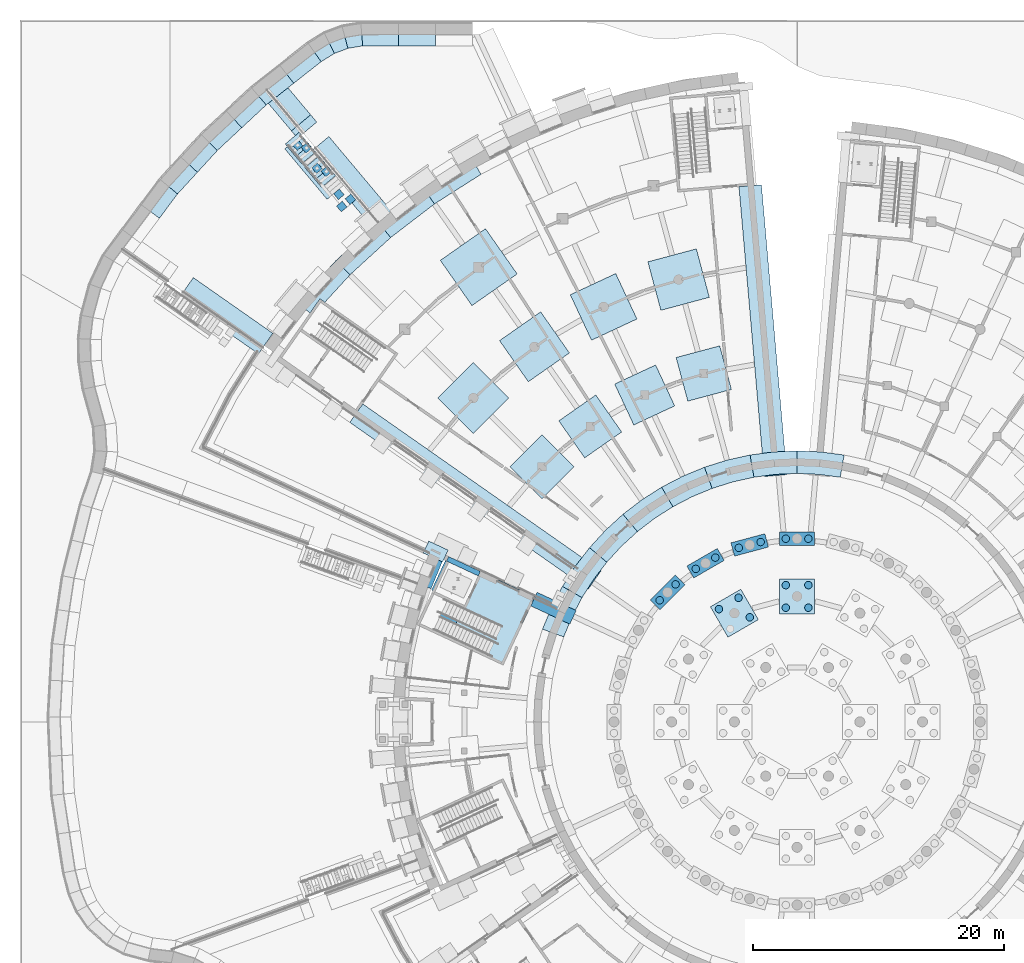
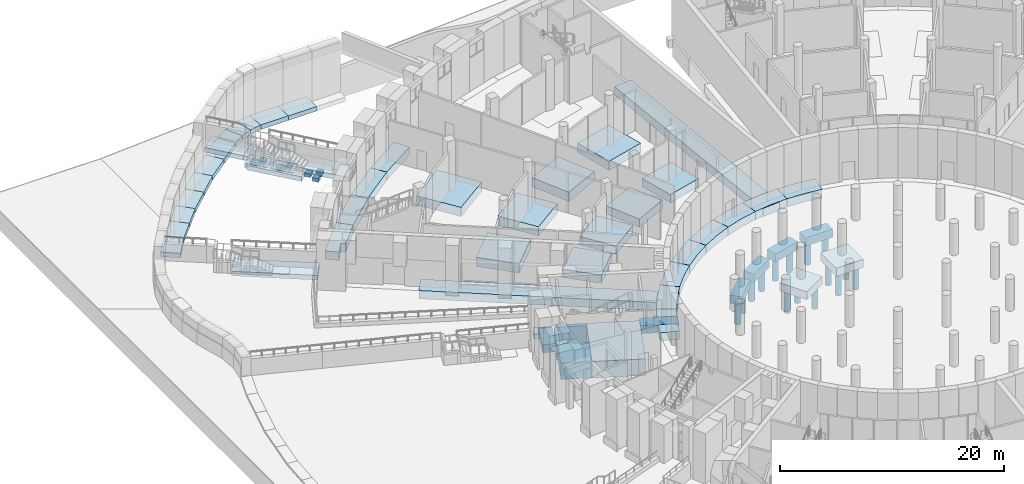
# One storey, part 5 of 65: 66 footings, 15 piles.
"""IFC4 building model written with IfcOpenShell, lengths in metres."""

from ifc_helpers import new_model, si_unit, direction, frame, origin, origin_2d, place, context, subcontext, project, spatial, polyline, rectangle, circle, outline, extrude, material, type_object, element, save


model = new_model("IFC4")

# Units and contexts
model_context = context("Model", 3, precision=1e-05, world=origin(), true_north=direction((0.0, 1.0)))
body_context = subcontext(model_context, "Body", "Model", "MODEL_VIEW")
ifc_project = project(units=[si_unit("LENGTHUNIT", "METRE"), si_unit("AREAUNIT", "SQUARE_METRE"), si_unit("VOLUMEUNIT", "CUBIC_METRE"), si_unit("PLANEANGLEUNIT", "RADIAN"), si_unit("MASSUNIT", "GRAM", prefix="KILO")], contexts=[model_context])

# Site, building, storey
site_placement = place(None, origin())
site = spatial("IfcSite", under=ifc_project, at=site_placement, CompositionType="ELEMENT")
building_placement = place(site_placement, origin())
building = spatial("IfcBuilding", under=site, at=building_placement, Name="Volute Hill Aquarium", CompositionType="ELEMENT")
storey_placement = place(building_placement, frame((0.0, 0.0, -5.5)))
storey = spatial("IfcBuildingStorey", under=building, at=storey_placement, Name="L00", CompositionType="ELEMENT", Elevation=-5.5)

# Piles
ifc_material_1 = material(Name="Concrete C30/37", Category="concrete")
pile_type = type_object("IfcPileType", Name="Bored pile 600 C30/37 L2500", PredefinedType="BORED", material=ifc_material_1)
for number, where, z_axis, x_axis, name in (
    (1, (0.89990234375, 9.10009765625, -1.10009765625), (0.0, 0.0, -1.0), (1.0, 0.0, 0.0), "pl/DR/L00/c2.3.0"),
    (2, (0.89990234375, 10.89990234375, -1.10009765625), (0.0, 0.0, -1.0), (1.0, 0.0, 0.0), "pl/DR/L00/c2.3.1"),
    (3, (-0.89990234375, 9.10009765625, -1.10009765625), (0.0, 0.0, -1.0), (1.0, 0.0, 0.0), "pl/DR/L00/c2.3.2"),
    (4, (-0.89990234375, 10.89990234375, -1.10009765625), (0.0, 0.0, -1.0), (1.0, 0.0, 0.0), "pl/DR/L00/c2.3.3"),
    (5, (-3.7705078125, 8.330810546875, -1.10009765625), (0.0, 0.0, -1.0), (1.0, 0.0, 0.0), "pl/DR/L00/c2.4.0"),
    (6, (-4.670654296875, 9.8896484375, -1.10009765625), (0.0, 0.0, -1.0), (1.0, 0.0, 0.0), "pl/DR/L00/c2.4.1"),
    (7, (-6.2294921875, 8.98974609375, -1.10009765625), (0.0, 0.0, -1.0), (1.0, 0.0, 0.0), "pl/DR/L00/c2.4.3"),
    (8, (0.89990234375, 14.60009765625, -1.10009765625), (0.0, 0.0, -1.0), (1.0, 0.0, 0.0), "pl/DR/L00/c3.6.0"),
    (9, (-0.89990234375, 14.60009765625, -1.10009765625), (0.0, 0.0, -1.0), (1.0, 0.0, 0.0), "pl/DR/L00/c3.6.1"),
    (10, (-2.909423828125, 14.33544921875, -1.10009765625), (0.0, 0.0, -1.0), (1.0, 0.0, 0.0), "pl/DR/L00/c3.7.0"),
    (11, (-4.648193359375, 13.86962890625, -1.10009765625), (0.0, 0.0, -1.0), (1.0, 0.0, 0.0), "pl/DR/L00/c3.7.1"),
    (12, (-6.5205078125, 13.093994140625, -1.10009765625), (0.0, 0.0, -1.0), (1.0, 0.0, 0.0), "pl/DR/L00/c3.8.0"),
    (13, (-8.079345703125, 12.194091796875, -1.10009765625), (0.0, 0.0, -1.0), (1.0, 0.0, 0.0), "pl/DR/L00/c3.8.1"),
    (14, (-9.6875, 10.960205078125, -1.10009765625), (0.0, 0.0, -1.0), (1.0, 0.0, 0.0), "pl/DR/L00/c3.9.0"),
    (15, (-10.960205078125, 9.6875, -1.10009765625), (0.0, 0.0, -1.0), (1.0, 0.0, 0.0), "pl/DR/L00/c3.9.1"),
):
    element("IfcPile", number, at=place(storey_placement, frame(where, z_axis=z_axis, x_axis=x_axis)), inside=storey, type_object=pile_type, Name=name, PredefinedType="BORED", context=body_context, shape_type="SweptSolid", body=[
        extrude(circle(Radius=0.300048828125, at=origin_2d()), origin(), (0.0, 0.0, 1.0), 2.5),
    ])

# Footings
ifc_material_2 = material(Name="Concrete C30/37", Category="concrete")
footing_type_1 = type_object("IfcFootingType", Name="Drum wall strip footing 1800", PredefinedType="STRIP_FOOTING", material=ifc_material_2)
footing_1_placement = place(storey_placement, frame((0.0, 0.0, -0.89990234375)))
element("IfcFooting", 16, at=footing_1_placement, inside=storey, type_object=footing_type_1, Name="ft/DR/L00/s8", PredefinedType="STRIP_FOOTING", context=body_context, shape_type="SweptSolid", body=[
    extrude(outline(polyline([(3.750732421875, 21.271728515625), (1.882568359375, 21.517822265625), (0.0, 21.60009765625), (0.0, 19.800048828125), (1.7255859375, 19.724609375), (3.438232421875, 19.499267578125), (3.750732421875, 21.271728515625)])), origin(), (0.0, 0.0, 1.0), 0.89990234375),
])
footing_2_placement = place(storey_placement, frame((0.0, 0.0, -0.89990234375)))
element("IfcFooting", 17, at=footing_2_placement, inside=storey, type_object=footing_type_1, Name="ft/DR/L00/s9", PredefinedType="STRIP_FOOTING", context=body_context, shape_type="SweptSolid", body=[
    extrude(outline(polyline([(0.0, 21.60009765625), (-1.882568359375, 21.517822265625), (-3.750732421875, 21.271728515625), (-3.438232421875, 19.499267578125), (-1.7255859375, 19.724609375), (0.0, 19.800048828125), (0.0, 21.60009765625)])), origin(), (0.0, 0.0, 1.0), 0.89990234375),
])
footing_3_placement = place(storey_placement, frame((0.0, 0.0, -0.89990234375)))
element("IfcFooting", 18, at=footing_3_placement, inside=storey, type_object=footing_type_1, Name="ft/DR/L00/s10", PredefinedType="STRIP_FOOTING", context=body_context, shape_type="SweptSolid", body=[
    extrude(outline(polyline([(-3.750732421875, 21.271728515625), (-5.590576171875, 20.864013671875), (-7.3876953125, 20.29736328125), (-6.77197265625, 18.60595703125), (-5.12451171875, 19.125244140625), (-3.438232421875, 19.499267578125), (-3.750732421875, 21.271728515625)])), origin(), (0.0, 0.0, 1.0), 0.89990234375),
])
footing_4_placement = place(storey_placement, frame((0.0, 0.0, -0.89990234375)))
element("IfcFooting", 19, at=footing_4_placement, inside=storey, type_object=footing_type_1, Name="ft/DR/L00/s11", PredefinedType="STRIP_FOOTING", context=body_context, shape_type="SweptSolid", body=[
    extrude(outline(polyline([(-7.3876953125, 20.29736328125), (-9.128662109375, 19.576171875), (-10.800048828125, 18.7060546875), (-9.89990234375, 17.147216796875), (-8.367919921875, 17.94482421875), (-6.77197265625, 18.60595703125), (-7.3876953125, 20.29736328125)])), origin(), (0.0, 0.0, 1.0), 0.89990234375),
])
footing_5_placement = place(storey_placement, frame((0.0, 0.0, -0.89990234375)))
element("IfcFooting", 20, at=footing_5_placement, inside=storey, type_object=footing_type_1, Name="ft/DR/L00/s12", PredefinedType="STRIP_FOOTING", context=body_context, shape_type="SweptSolid", body=[
    extrude(outline(polyline([(-10.800048828125, 18.7060546875), (-12.389404296875, 17.693603515625), (-13.88427734375, 16.546630859375), (-12.727294921875, 15.167724609375), (-11.356689453125, 16.21923828125), (-9.89990234375, 17.147216796875), (-10.800048828125, 18.7060546875)])), origin(), (0.0, 0.0, 1.0), 0.89990234375),
])
footing_6_placement = place(storey_placement, frame((0.0, 0.0, -0.89990234375)))
element("IfcFooting", 21, at=footing_6_placement, inside=storey, type_object=footing_type_1, Name="ft/DR/L00/s13", PredefinedType="STRIP_FOOTING", context=body_context, shape_type="SweptSolid", body=[
    extrude(outline(polyline([(-13.88427734375, 16.546630859375), (-15.2734375, 15.2734375), (-16.546630859375, 13.88427734375), (-15.167724609375, 12.727294921875), (-14.000732421875, 14.000732421875), (-12.727294921875, 15.167724609375), (-13.88427734375, 16.546630859375)])), origin(), (0.0, 0.0, 1.0), 0.89990234375),
])
footing_7_placement = place(storey_placement, frame((0.0, 0.0, -0.89990234375)))
element("IfcFooting", 22, at=footing_7_placement, inside=storey, type_object=footing_type_1, Name="ft/DR/L00/s14", PredefinedType="STRIP_FOOTING", context=body_context, shape_type="SweptSolid", body=[
    extrude(outline(polyline([(-16.546630859375, 13.88427734375), (-17.693603515625, 12.389404296875), (-18.7060546875, 10.800048828125), (-17.147216796875, 9.89990234375), (-16.21923828125, 11.356689453125), (-15.167724609375, 12.727294921875), (-16.546630859375, 13.88427734375)])), origin(), (0.0, 0.0, 1.0), 0.89990234375),
])
footing_8_placement = place(storey_placement, frame((0.0, 0.0, -0.89990234375)))
element("IfcFooting", 23, at=footing_8_placement, inside=storey, type_object=footing_type_1, Name="ft/DR/L00/s15", PredefinedType="STRIP_FOOTING", context=body_context, shape_type="SweptSolid", body=[
    extrude(outline(polyline([(-18.7060546875, 10.800048828125), (-19.576171875, 9.128662109375), (-20.29736328125, 7.3876953125), (-18.60595703125, 6.77197265625), (-17.94482421875, 8.367919921875), (-17.147216796875, 9.89990234375), (-18.7060546875, 10.800048828125)])), origin(), (0.0, 0.0, 1.0), 0.89990234375),
])
ifc_material_3 = material(Name="Concrete C30/37", Category="concrete")
footing_type_2 = type_object("IfcFootingType", Name="Lift core raft footing 1800 C30/37", PredefinedType="PAD_FOOTING", material=ifc_material_3)
footing_9_placement = place(storey_placement, frame((0.0, 0.0, -1.800048828125)))
element("IfcFooting", 24, at=footing_9_placement, inside=storey, type_object=footing_type_2, Name="ft/S1/L00/raftA1", PredefinedType="PAD_FOOTING", context=body_context, shape_type="SweptSolid", body=[
    extrude(outline(polyline([(-20.896484375, 9.96484375), (-25.246826171875, 11.993408203125), (-27.782470703125, 6.5556640625), (-23.43212890625, 4.527099609375), (-20.896484375, 9.96484375)])), origin(), (0.0, 0.0, 1.0), 1.800048828125),
])
footing_10_placement = place(storey_placement, frame((0.0, 0.0, -1.800048828125)))
element("IfcFooting", 25, at=footing_10_placement, inside=storey, type_object=footing_type_2, Name="ft/S1/L00/raftA2", PredefinedType="PAD_FOOTING", context=body_context, shape_type="SweptSolid", body=[
    extrude(outline(polyline([(-26.5146484375, 9.2744140625), (-29.05224609375, 10.457763671875), (-30.3203125, 7.739013671875), (-27.782470703125, 6.5556640625), (-26.5146484375, 9.2744140625)])), origin(), (0.0, 0.0, 1.0), 1.800048828125),
])
footing_11_placement = place(storey_placement, frame((0.0, 0.0, -1.800048828125)))
element("IfcFooting", 26, at=footing_11_placement, inside=storey, type_object=footing_type_2, Name="ft/S1/L00/raftA3", PredefinedType="PAD_FOOTING", context=body_context, shape_type="SweptSolid", body=[
    extrude(outline(polyline([(-25.246826171875, 11.993408203125), (-27.784423828125, 13.1767578125), (-27.95361328125, 12.814208984375), (-25.415771484375, 11.630859375), (-25.246826171875, 11.993408203125)])), origin(), (0.0, 0.0, 1.0), 1.800048828125),
])
footing_12_placement = place(storey_placement, frame((0.0, 0.0, -1.800048828125)))
element("IfcFooting", 27, at=footing_12_placement, inside=storey, type_object=footing_type_2, Name="ft/S1/L00/raftA4", PredefinedType="PAD_FOOTING", context=body_context, shape_type="SweptSolid", body=[
    extrude(outline(polyline([(-27.772216796875, 12.729736328125), (-28.044189453125, 12.8564453125), (-29.142822265625, 10.5), (-28.87109375, 10.373291015625), (-27.772216796875, 12.729736328125)])), origin(), (0.0, 0.0, 1.0), 1.800048828125),
])
ifc_material_4 = material(Name="Concrete C30/37", Category="concrete")
footing_type_3 = type_object("IfcFootingType", Name="Outer wall strip footing 1200x900 C30/37", PredefinedType="STRIP_FOOTING", material=ifc_material_4)
footing_13_placement = place(storey_placement, frame((0.0, 0.0, -0.89990234375)))
element("IfcFooting", 28, at=footing_13_placement, inside=storey, type_object=footing_type_3, Name="ft/S1/L00/outer0", PredefinedType="STRIP_FOOTING", context=body_context, shape_type="SweptSolid", body=[
    extrude(outline(polyline([(-30.30517578125, 11.030029296875), (-29.304931640625, 13.444580078125), (-28.217529296875, 12.9375), (-29.177490234375, 10.61962890625), (-30.30517578125, 11.030029296875)])), origin(), (0.0, 0.0, 1.0), 0.89990234375),
])
ifc_material_5 = material(Name="Concrete C30/37", Category="concrete")
footing_type_4 = type_object("IfcFootingType", Name="Outer wall strip footing 1600x900 C30/37", PredefinedType="STRIP_FOOTING", material=ifc_material_5)
footing_14_placement = place(storey_placement, frame((0.0, 0.0, -0.89990234375)))
element("IfcFooting", 29, at=footing_14_placement, inside=storey, type_object=footing_type_4, Name="ft/S6/L00/outer5", PredefinedType="STRIP_FOOTING", context=body_context, shape_type="SweptSolid", body=[
    extrude(outline(polyline([(-29.825927734375, 42.595947265625), (-26.0, 45.033203125), (-25.199951171875, 43.647705078125), (-28.908203125, 41.285400390625), (-29.825927734375, 42.595947265625)])), origin(), (0.0, 0.0, 1.0), 0.89990234375),
])
footing_15_placement = place(storey_placement, frame((0.0, 0.0, -0.89990234375)))
element("IfcFooting", 30, at=footing_15_placement, inside=storey, type_object=footing_type_4, Name="ft/S6/L00/outer6", PredefinedType="STRIP_FOOTING", context=body_context, shape_type="SweptSolid", body=[
    extrude(outline(polyline([(-33.425048828125, 39.834228515625), (-29.825927734375, 42.595947265625), (-28.908203125, 41.285400390625), (-32.396484375, 38.608642578125), (-33.425048828125, 39.834228515625)])), origin(), (0.0, 0.0, 1.0), 0.89990234375),
])
footing_16_placement = place(storey_placement, frame((0.0, 0.0, -0.89990234375)))
element("IfcFooting", 31, at=footing_16_placement, inside=storey, type_object=footing_type_4, Name="ft/S6/L00/outer7", PredefinedType="STRIP_FOOTING", context=body_context, shape_type="SweptSolid", body=[
    extrude(outline(polyline([(-36.76953125, 36.76953125), (-33.425048828125, 39.834228515625), (-32.396484375, 38.608642578125), (-35.63818359375, 35.63818359375), (-36.76953125, 36.76953125)])), origin(), (0.0, 0.0, 1.0), 0.89990234375),
])
footing_17_placement = place(storey_placement, frame((0.0, 0.0, -0.89990234375)))
element("IfcFooting", 32, at=footing_17_placement, inside=storey, type_object=footing_type_4, Name="ft/S6/L00/outer8", PredefinedType="STRIP_FOOTING", context=body_context, shape_type="SweptSolid", body=[
    extrude(outline(polyline([(-39.834228515625, 33.425048828125), (-36.76953125, 36.76953125), (-35.63818359375, 35.63818359375), (-37.649658203125, 33.443115234375), (-38.040283203125, 33.716796875), (-38.8330078125, 32.584716796875), (-39.834228515625, 33.425048828125)])), origin(), (0.0, 0.0, 1.0), 0.89990234375),
])
ifc_material_6 = material(Name="Concrete C30/37", Category="concrete")
footing_type_5 = type_object("IfcFootingType", Name="Pad footing 3600x3600x900 C30/37", PredefinedType="PAD_FOOTING", material=ifc_material_6)
footing_18_placement = place(storey_placement, frame((0.0, 0.0, -0.89990234375)))
element("IfcFooting", 33, at=footing_18_placement, inside=storey, type_object=footing_type_5, Name="ft/S6/L00/pad1.1", PredefinedType="PAD_FOOTING", context=body_context, shape_type="SweptSolid", body=[
    extrude(outline(polyline([(-5.236572265625, 26.49755859375), (-6.168212890625, 29.974853515625), (-9.6455078125, 29.043212890625), (-8.7138671875, 25.56591796875), (-5.236572265625, 26.49755859375)])), origin(), (0.0, 0.0, 1.0), 0.89990234375),
])
footing_19_placement = place(storey_placement, frame((0.0, 0.0, -0.89990234375)))
element("IfcFooting", 34, at=footing_19_placement, inside=storey, type_object=footing_type_5, Name="ft/S6/L00/pad1.2", PredefinedType="PAD_FOOTING", context=body_context, shape_type="SweptSolid", body=[
    extrude(outline(polyline([(-9.75830078125, 25.185791015625), (-11.27978515625, 28.448486328125), (-14.54248046875, 26.927001953125), (-13.02099609375, 23.664306640625), (-9.75830078125, 25.185791015625)])), origin(), (0.0, 0.0, 1.0), 0.89990234375),
])
footing_20_placement = place(storey_placement, frame((0.0, 0.0, -0.89990234375)))
element("IfcFooting", 35, at=footing_20_placement, inside=storey, type_object=footing_type_5, Name="ft/S6/L00/pad1.3", PredefinedType="PAD_FOOTING", context=body_context, shape_type="SweptSolid", body=[
    extrude(outline(polyline([(-13.9833984375, 23.108642578125), (-16.04833984375, 26.0576171875), (-18.997314453125, 23.99267578125), (-16.932373046875, 21.043701171875), (-13.9833984375, 23.108642578125)])), origin(), (0.0, 0.0, 1.0), 0.89990234375),
])
footing_21_placement = place(storey_placement, frame((0.0, 0.0, -0.89990234375)))
element("IfcFooting", 36, at=footing_21_placement, inside=storey, type_object=footing_type_5, Name="ft/S6/L00/pad1.4", PredefinedType="PAD_FOOTING", context=body_context, shape_type="SweptSolid", body=[
    extrude(outline(polyline([(-17.78369140625, 20.329345703125), (-20.329345703125, 22.875), (-22.875, 20.329345703125), (-20.329345703125, 17.78369140625), (-17.78369140625, 20.329345703125)])), origin(), (0.0, 0.0, 1.0), 0.89990234375),
])
ifc_material_7 = material(Name="Concrete C30/37", Category="concrete")
footing_type_6 = type_object("IfcFootingType", Name="Pad footing 4000x4000x1000 C30/37", PredefinedType="PAD_FOOTING", material=ifc_material_7)
footing_22_placement = place(storey_placement, frame((0.0, 0.0, -1.0)))
element("IfcFooting", 37, at=footing_22_placement, inside=storey, type_object=footing_type_6, Name="ft/S6/L00/pad2.1", PredefinedType="PAD_FOOTING", context=body_context, shape_type="SweptSolid", body=[
    extrude(outline(polyline([(-6.997314453125, 33.842041015625), (-8.03271484375, 37.705810546875), (-11.896484375, 36.67041015625), (-10.861083984375, 32.806884765625), (-6.997314453125, 33.842041015625)])), origin(), (0.0, 0.0, 1.0), 1.0),
])
footing_23_placement = place(storey_placement, frame((0.0, 0.0, -1.0)))
element("IfcFooting", 38, at=footing_23_placement, inside=storey, type_object=footing_type_6, Name="ft/S6/L00/pad2.2", PredefinedType="PAD_FOOTING", context=body_context, shape_type="SweptSolid", body=[
    extrude(outline(polyline([(-12.767578125, 32.11279296875), (-14.458251953125, 35.738037109375), (-18.08349609375, 34.047607421875), (-16.39306640625, 30.42236328125), (-12.767578125, 32.11279296875)])), origin(), (0.0, 0.0, 1.0), 1.0),
])
footing_24_placement = place(storey_placement, frame((0.0, 0.0, -1.0)))
element("IfcFooting", 39, at=footing_24_placement, inside=storey, type_object=footing_type_6, Name="ft/S6/L00/pad2.3", PredefinedType="PAD_FOOTING", context=body_context, shape_type="SweptSolid", body=[
    extrude(outline(polyline([(-18.14990234375, 29.40771484375), (-20.4443359375, 32.6845703125), (-23.720947265625, 30.39013671875), (-21.4267578125, 27.113525390625), (-18.14990234375, 29.40771484375)])), origin(), (0.0, 0.0, 1.0), 1.0),
])
footing_25_placement = place(storey_placement, frame((0.0, 0.0, -1.0)))
element("IfcFooting", 40, at=footing_25_placement, inside=storey, type_object=footing_type_6, Name="ft/S6/L00/pad2.4", PredefinedType="PAD_FOOTING", context=body_context, shape_type="SweptSolid", body=[
    extrude(outline(polyline([(-22.98095703125, 25.809326171875), (-25.809326171875, 28.6376953125), (-28.6376953125, 25.809326171875), (-25.809326171875, 22.98095703125), (-22.98095703125, 25.809326171875)])), origin(), (0.0, 0.0, 1.0), 1.0),
])
ifc_material_8 = material(Name="Concrete C30/37", Category="concrete")
footing_type_7 = type_object("IfcFootingType", Name="Pad footing 4400x4400x1000 C30/37", PredefinedType="PAD_FOOTING", material=ifc_material_8)
footing_26_placement = place(storey_placement, frame((0.0, 0.0, -1.0)))
element("IfcFooting", 41, at=footing_26_placement, inside=storey, type_object=footing_type_7, Name="ft/S6/L00/pad3.3", PredefinedType="PAD_FOOTING", context=body_context, shape_type="SweptSolid", body=[
    extrude(outline(polyline([(-22.31689453125, 35.707275390625), (-24.840576171875, 39.3115234375), (-28.44482421875, 36.787841796875), (-25.921142578125, 33.18359375), (-22.31689453125, 35.707275390625)])), origin(), (0.0, 0.0, 1.0), 1.0),
])
ifc_material_9 = material(Name="Concrete C30/37", Category="concrete")
footing_type_8 = type_object("IfcFootingType", Name="Retaining wall footing C30/37 2000", PredefinedType="STRIP_FOOTING", material=ifc_material_9)
for number, where, z_axis, x_axis, name in (
    (42, (-45.53662109375, 32.373291015625, 0.375), (0.0, 0.0, 1.0), (-0.819152044289, 0.573576436351, 0.0), "ft/RW145/L00/0"),
    (43, (-35.606201171875, 43.055908203125, 1.75), (0.0, 0.0, 1.0), (-0.642787609687, 0.766044443119, 0.0), "ft/RW130/L00/0"),
):
    element("IfcFooting", number, at=place(storey_placement, frame(where, z_axis=z_axis, x_axis=x_axis)), inside=storey, type_object=footing_type_8, Name=name, PredefinedType="STRIP_FOOTING", context=body_context, shape_type="SweptSolid", body=[
        extrude(rectangle(XDim=7.739990234375, YDim=2.0, at=origin_2d()), origin(), (0.0, 0.0, 1.0), 0.5),
    ])
footing_27_placement = place(storey_placement, frame((-39.302001953125, 47.460693359375, 1.75), z_axis=(0.0, 0.0, 1.0), x_axis=(-0.642787609687, 0.766044443119, 0.0)))
element("IfcFooting", 44, at=footing_27_placement, inside=storey, type_object=footing_type_8, Name="ft/RW130/L00/1", PredefinedType="STRIP_FOOTING", context=body_context, shape_type="SweptSolid", body=[
    extrude(rectangle(XDim=0.760009765625, YDim=2.0, at=origin_2d()), origin(), (0.0, 0.0, 1.0), 0.5),
])
footing_28_placement = place(storey_placement, frame((-40.745849609375, 49.18115234375, 1.75), z_axis=(0.0, 0.0, 1.0), x_axis=(-0.642787609687, 0.766044443119, 0.0)))
element("IfcFooting", 45, at=footing_28_placement, inside=storey, type_object=footing_type_8, Name="ft/RW130/L00/2", PredefinedType="STRIP_FOOTING", context=body_context, shape_type="SweptSolid", body=[
    extrude(rectangle(XDim=3.731689453125, YDim=2.0, at=origin_2d()), origin(), (0.0, 0.0, 1.0), 0.5),
])
ifc_material_10 = material(Name="Concrete C30/37", Category="concrete")
footing_type_9 = type_object("IfcFootingType", Name="Site edge wall footing C30/37 1800", PredefinedType="STRIP_FOOTING", material=ifc_material_10)
footing_29_placement = place(storey_placement, frame((0.0, 0.0, -1.0)))
element("IfcFooting", 46, at=footing_29_placement, inside=storey, type_object=footing_type_9, Name="ft/RWCFA10.4/L00/0", PredefinedType="STRIP_FOOTING", context=body_context, shape_type="SweptSolid", body=[
    extrude(outline(polyline([(-29.361328125, 14.40869140625), (-29.805419921875, 13.457275390625), (-28.26416015625, 12.738525390625), (-27.8212890625, 13.6904296875), (-29.361328125, 14.40869140625)])), origin(), (0.0, 0.0, 1.0), 0.5),
])
footing_30_placement = place(storey_placement, frame((0.0, 0.0, -1.0)))
element("IfcFooting", 47, at=footing_30_placement, inside=storey, type_object=footing_type_9, Name="ft/RWE/77.4", PredefinedType="STRIP_FOOTING", context=body_context, shape_type="SweptSolid", body=[
    extrude(outline(polyline([(-28.845458984375, 55.688720703125), (-31.794677734375, 55.685791015625), (-31.79296875, 53.8857421875), (-28.84375, 53.888671875), (-28.845458984375, 55.688720703125)])), origin(), (0.0, 0.0, 1.0), 0.5),
])
footing_31_placement = place(storey_placement, frame((0.0, 0.0, -1.0)))
element("IfcFooting", 48, at=footing_31_placement, inside=storey, type_object=footing_type_9, Name="ft/RWE/77.5", PredefinedType="STRIP_FOOTING", context=body_context, shape_type="SweptSolid", body=[
    extrude(outline(polyline([(-34.780517578125, 55.682861328125), (-34.780517578125, 55.682861328125), (-34.632080078125, 53.883056640625), (-31.79296875, 53.8857421875), (-31.794677734375, 55.685791015625), (-34.780517578125, 55.682861328125)])), origin(), (0.0, 0.0, 1.0), 0.5),
])
footing_32_placement = place(storey_placement, frame((0.0, 0.0, -1.0)))
element("IfcFooting", 49, at=footing_32_placement, inside=storey, type_object=footing_type_9, Name="ft/RWE/78.0", PredefinedType="STRIP_FOOTING", context=body_context, shape_type="SweptSolid", body=[
    extrude(outline(polyline([(-34.780517578125, 55.682861328125), (-36.2744140625, 55.436279296875), (-35.806396484375, 53.689208984375), (-35.806396484375, 53.689208984375), (-34.632080078125, 53.883056640625), (-34.632080078125, 53.883056640625), (-34.780517578125, 55.682861328125)])), origin(), (0.0, 0.0, 1.0), 0.5),
])
footing_33_placement = place(storey_placement, frame((0.0, 0.0, -1.0)))
element("IfcFooting", 50, at=footing_33_placement, inside=storey, type_object=footing_type_9, Name="ft/RWE/79.0", PredefinedType="STRIP_FOOTING", context=body_context, shape_type="SweptSolid", body=[
    extrude(outline(polyline([(-36.2744140625, 55.436279296875), (-37.68701171875, 54.904541015625), (-36.886962890625, 53.282470703125), (-35.806396484375, 53.689208984375), (-36.2744140625, 55.436279296875), (-36.2744140625, 55.436279296875)])), origin(), (0.0, 0.0, 1.0), 0.5),
])
footing_34_placement = place(storey_placement, frame((0.0, 0.0, -1.0)))
element("IfcFooting", 51, at=footing_34_placement, inside=storey, type_object=footing_type_9, Name="ft/RWE/80.0", PredefinedType="STRIP_FOOTING", context=body_context, shape_type="SweptSolid", body=[
    extrude(outline(polyline([(-37.68701171875, 54.904541015625), (-38.9794921875, 54.100830078125), (-37.9443359375, 52.625), (-37.9443359375, 52.625), (-36.886962890625, 53.282470703125), (-36.886962890625, 53.282470703125), (-37.68701171875, 54.904541015625)])), origin(), (0.0, 0.0, 1.0), 0.5),
])
footing_35_placement = place(storey_placement, frame((0.0, 0.0, -1.0)))
element("IfcFooting", 52, at=footing_35_placement, inside=storey, type_object=footing_type_9, Name="ft/RWE/81.0", PredefinedType="STRIP_FOOTING", context=body_context, shape_type="SweptSolid", body=[
    extrude(outline(polyline([(-38.9794921875, 54.100830078125), (-41.238037109375, 52.322509765625), (-40.12451171875, 50.908203125), (-37.9443359375, 52.625), (-38.9794921875, 54.100830078125)])), origin(), (0.0, 0.0, 1.0), 0.5),
])
footing_36_placement = place(storey_placement, frame((0.0, 0.0, -1.0)))
element("IfcFooting", 53, at=footing_36_placement, inside=storey, type_object=footing_type_9, Name="ft/RWE/81.1", PredefinedType="STRIP_FOOTING", context=body_context, shape_type="SweptSolid", body=[
    extrude(outline(polyline([(-41.238037109375, 52.322509765625), (-43.491943359375, 50.5478515625), (-42.319091796875, 49.18017578125), (-40.12451171875, 50.908203125), (-41.238037109375, 52.322509765625)])), origin(), (0.0, 0.0, 1.0), 0.5),
])
footing_37_placement = place(storey_placement, frame((0.0, 0.0, -1.0)))
element("IfcFooting", 54, at=footing_37_placement, inside=storey, type_object=footing_type_9, Name="ft/RWE/82.0", PredefinedType="STRIP_FOOTING", context=body_context, shape_type="SweptSolid", body=[
    extrude(outline(polyline([(-43.491943359375, 50.5478515625), (-45.492431640625, 48.68115234375), (-44.2646484375, 47.364990234375), (-42.319091796875, 49.18017578125), (-42.319091796875, 49.18017578125), (-43.491943359375, 50.5478515625), (-43.491943359375, 50.5478515625)])), origin(), (0.0, 0.0, 1.0), 0.5),
])
footing_38_placement = place(storey_placement, frame((0.0, 0.0, -1.0)))
element("IfcFooting", 55, at=footing_38_placement, inside=storey, type_object=footing_type_9, Name="ft/RWE/82.1", PredefinedType="STRIP_FOOTING", context=body_context, shape_type="SweptSolid", body=[
    extrude(outline(polyline([(-47.4921875, 46.8154296875), (-47.4921875, 46.8154296875), (-46.212646484375, 45.54736328125), (-46.212646484375, 45.54736328125), (-44.2646484375, 47.364990234375), (-45.492431640625, 48.68115234375), (-47.4921875, 46.8154296875)])), origin(), (0.0, 0.0, 1.0), 0.5),
])
footing_39_placement = place(storey_placement, frame((0.0, 0.0, -1.0)))
element("IfcFooting", 56, at=footing_39_placement, inside=storey, type_object=footing_type_9, Name="ft/RWE/83.0", PredefinedType="STRIP_FOOTING", context=body_context, shape_type="SweptSolid", body=[
    extrude(outline(polyline([(-47.4921875, 46.8154296875), (-49.1318359375, 45.026123046875), (-47.8046875, 43.81005859375), (-46.212646484375, 45.54736328125), (-47.4921875, 46.8154296875)])), origin(), (0.0, 0.0, 1.0), 0.5),
])
footing_40_placement = place(storey_placement, frame((0.0, 0.0, -1.0)))
element("IfcFooting", 57, at=footing_40_placement, inside=storey, type_object=footing_type_9, Name="ft/RWE/83.1", PredefinedType="STRIP_FOOTING", context=body_context, shape_type="SweptSolid", body=[
    extrude(outline(polyline([(-50.7744140625, 43.2333984375), (-50.7744140625, 43.2333984375), (-49.38720703125, 42.0830078125), (-47.8046875, 43.81005859375), (-49.1318359375, 45.026123046875), (-50.7744140625, 43.2333984375)])), origin(), (0.0, 0.0, 1.0), 0.5),
])
footing_41_placement = place(storey_placement, frame((0.0, 0.0, -1.0)))
element("IfcFooting", 58, at=footing_41_placement, inside=storey, type_object=footing_type_9, Name="ft/RWE/84.0", PredefinedType="STRIP_FOOTING", context=body_context, shape_type="SweptSolid", body=[
    extrude(outline(polyline([(-50.7744140625, 43.2333984375), (-52.280029296875, 41.223388671875), (-50.839599609375, 40.144287109375), (-49.38720703125, 42.0830078125), (-49.38720703125, 42.0830078125), (-50.7744140625, 43.2333984375)])), origin(), (0.0, 0.0, 1.0), 0.5),
])
ifc_material_11 = material(Name="Concrete C30/37", Category="concrete")
footing_type_10 = type_object("IfcFootingType", Name="Stair foot pad footing C30/37 600", PredefinedType="PAD_FOOTING", material=ifc_material_11)
for number, where, z_axis, x_axis, name in (
    (59, (-35.60791015625, 41.65771484375, 1.85009765625), (0.0, 0.0, 1.0), (-0.642787609687, 0.766044443119, 0.0), "ft/ST130/L00/p0"),
    (60, (-36.297119140625, 41.079345703125, 1.85009765625), (0.0, 0.0, 1.0), (-0.642787609687, 0.766044443119, 0.0), "ft/ST130/L00/p1"),
    (61, (-36.531005859375, 42.05810546875, 1.85009765625), (0.0, 0.0, 1.0), (-0.642787609687, 0.766044443119, 0.0), "ft/ST130/L00/p2"),
    (62, (-37.529296875, 43.8701171875, 1.85009765625), (0.0, 0.0, 1.0), (-0.642787609687, 0.766044443119, 0.0), "ft/ST130/L00/q0"),
    (63, (-38.269775390625, 44.130126953125, 1.85009765625), (0.0, 0.0, 1.0), (-0.642787609687, 0.766044443119, 0.0), "ft/ST130/L00/q1"),
    (64, (-39.110595703125, 45.754638671875, 1.85009765625), (0.0, 0.0, 1.0), (-0.642787609687, 0.766044443119, 0.0), "ft/ST130/L00/q2"),
    (65, (-39.815673828125, 45.972412109375, 1.85009765625), (0.0, 0.0, 1.0), (-0.642787609687, 0.766044443119, 0.0), "ft/ST130/L00/q3"),
):
    element("IfcFooting", number, at=place(storey_placement, frame(where, z_axis=z_axis, x_axis=x_axis)), inside=storey, type_object=footing_type_10, Name=name, PredefinedType="PAD_FOOTING", context=body_context, shape_type="SweptSolid", body=[
        extrude(rectangle(XDim=0.60009765625, YDim=0.60009765625, at=origin_2d()), origin(), (0.0, 0.0, 1.0), 0.39990234375),
    ])
ifc_material_12 = material(Name="Concrete C30/37", Category="concrete")
footing_type_11 = type_object("IfcFootingType", Name="Stair string wall footing C30/37 800", PredefinedType="STRIP_FOOTING", material=ifc_material_12)
footing_42_placement = place(storey_placement, frame((-38.848388671875, 43.92529296875, 1.75), z_axis=(0.0, 0.0, 1.0), x_axis=(-0.642787609687, 0.766044443119, 0.0)))
element("IfcFooting", 66, at=footing_42_placement, inside=storey, type_object=footing_type_11, Name="ft/ST130/L00/1", PredefinedType="STRIP_FOOTING", context=body_context, shape_type="SweptSolid", body=[
    extrude(rectangle(XDim=5.239990234375, YDim=0.800048828125, at=origin_2d()), origin(), (0.0, 0.0, 1.0), 0.5),
])
for number, where, z_axis, x_axis, name in (
    (67, (-37.60791015625, 43.380126953125, 1.75), (0.0, 0.0, 1.0), (-0.766044443119, -0.642787609687, 0.0), "ft/ST130/L00/xa"),
    (68, (-38.411376953125, 44.337646484375, 1.75), (0.0, 0.0, 1.0), (-0.766044443119, -0.642787609687, 0.0), "ft/ST130/L00/xb"),
    (69, (-39.189208984375, 45.2646484375, 1.75), (0.0, 0.0, 1.0), (-0.766044443119, -0.642787609687, 0.0), "ft/ST130/L00/xc"),
    (70, (-39.992431640625, 46.22216796875, 1.75), (0.0, 0.0, 1.0), (-0.766044443119, -0.642787609687, 0.0), "ft/ST130/L00/xd"),
    (71, (-38.08984375, 43.954833984375, 1.75), (0.0, 0.0, 1.0), (-0.766044443119, -0.642787609687, 0.0), "ft/ST130/L00/xe"),
    (72, (-39.671142578125, 45.839111328125, 1.75), (0.0, 0.0, 1.0), (-0.766044443119, -0.642787609687, 0.0), "ft/ST130/L00/xf"),
):
    element("IfcFooting", number, at=place(storey_placement, frame(where, z_axis=z_axis, x_axis=x_axis)), inside=storey, type_object=footing_type_11, Name=name, PredefinedType="STRIP_FOOTING", context=body_context, shape_type="SweptSolid", body=[
        extrude(rectangle(XDim=1.449951171875, YDim=0.800048828125, at=origin_2d()), origin(), (0.0, 0.0, 1.0), 0.5),
    ])
ifc_material_13 = material(Name="Concrete C30/37", Category="concrete")
footing_type_12 = type_object("IfcFootingType", Name="Strip footing 1200x900 C30/37", PredefinedType="STRIP_FOOTING", material=ifc_material_13)
footing_43_placement = place(storey_placement, frame((0.0, 0.0, -0.89990234375)))
element("IfcFooting", 73, at=footing_43_placement, inside=storey, type_object=footing_type_12, Name="ft/S1/L00/stripA1", PredefinedType="STRIP_FOOTING", context=body_context, shape_type="SweptSolid", body=[
    extrude(outline(polyline([(-21.234619140625, 9.23974609375), (-21.0654296875, 9.602294921875), (-21.0654296875, 9.602294921875), (-20.7275390625, 10.327392578125), (-17.60986328125, 8.873779296875), (-18.116943359375, 7.7861328125), (-21.234619140625, 9.23974609375)])), origin(), (0.0, 0.0, 1.0), 0.89990234375),
])
ifc_material_14 = material(Name="Concrete C30/37", Category="concrete")
footing_type_13 = type_object("IfcFootingType", Name="Strip footing 1800x900 C30/37", PredefinedType="STRIP_FOOTING", material=ifc_material_14)
footing_44_placement = place(storey_placement, frame((0.0, 0.0, -0.89990234375)))
element("IfcFooting", 74, at=footing_44_placement, inside=storey, type_object=footing_type_13, Name="ft/S6/L00/stripA1", PredefinedType="STRIP_FOOTING", context=body_context, shape_type="SweptSolid", body=[
    extrude(outline(polyline([(-4.635498046875, 42.658203125), (-3.938232421875, 42.71923828125), (-3.938232421875, 42.71923828125), (-2.84228515625, 42.815185546875), (-0.821044921875, 19.710693359375), (-2.614013671875, 19.5537109375), (-4.635498046875, 42.658203125)])), origin(), (0.0, 0.0, 1.0), 0.89990234375),
])
footing_45_placement = place(storey_placement, frame((0.0, 0.0, -0.89990234375)))
element("IfcFooting", 75, at=footing_45_placement, inside=storey, type_object=footing_type_13, Name="ft/S6/L00/stripB1", PredefinedType="STRIP_FOOTING", context=body_context, shape_type="SweptSolid", body=[
    extrude(outline(polyline([(-35.65771484375, 23.869140625), (-34.62548828125, 25.34375), (-15.626953125, 12.040771484375), (-16.659423828125, 10.56640625), (-35.65771484375, 23.869140625)])), origin(), (0.0, 0.0, 1.0), 0.89990234375),
])
ifc_material_15 = material(Name="Concrete C30/37", Category="concrete")
footing_type_14 = type_object("IfcFootingType", Name="Tank hall pile cap 2800x1100 C30/37", PredefinedType="PILE_CAP", material=ifc_material_15)
for number, where, z_axis, x_axis, name in (
    (76, (0.0, 14.60009765625, -1.199951171875), (0.0, 0.0, 1.0), (-1.0, 0.0, 0.0), "ft/DR/L00/c3.6"),
    (77, (-3.77880859375, 14.1025390625, -1.199951171875), (0.0, 0.0, 1.0), (-0.965925826289, -0.258819045103, 0.0), "ft/DR/L00/c3.7"),
    (78, (-7.300048828125, 12.64404296875, -1.199951171875), (0.0, 0.0, 1.0), (-0.866025403784, -0.5, 0.0), "ft/DR/L00/c3.8"),
    (79, (-10.32373046875, 10.32373046875, -1.199951171875), (0.0, 0.0, 1.0), (-0.707106781187, -0.707106781187, 0.0), "ft/DR/L00/c3.9"),
):
    element("IfcFooting", number, at=place(storey_placement, frame(where, z_axis=z_axis, x_axis=x_axis)), inside=storey, type_object=footing_type_14, Name=name, PredefinedType="PILE_CAP", context=body_context, shape_type="SweptSolid", body=[
        extrude(rectangle(XDim=2.800048828125, YDim=1.10009765625, at=origin_2d()), origin(), (0.0, 0.0, 1.0), 0.89990234375),
    ])
ifc_material_16 = material(Name="Concrete C30/37", Category="concrete")
footing_type_15 = type_object("IfcFootingType", Name="Tank hall pile cap 2800x2800 C30/37", PredefinedType="PILE_CAP", material=ifc_material_16)
for number, where, z_axis, x_axis, name in (
    (80, (0.0, 10.0, -1.199951171875), (0.0, 0.0, 1.0), (-1.0, 0.0, 0.0), "ft/DR/L00/c2.3"),
    (81, (-5.0, 8.660400390625, -1.199951171875), (0.0, 0.0, 1.0), (-0.866025403784, -0.5, 0.0), "ft/DR/L00/c2.4"),
):
    element("IfcFooting", number, at=place(storey_placement, frame(where, z_axis=z_axis, x_axis=x_axis)), inside=storey, type_object=footing_type_15, Name=name, PredefinedType="PILE_CAP", context=body_context, shape_type="SweptSolid", body=[
        extrude(rectangle(XDim=2.800048828125, YDim=2.800048828125, at=origin_2d()), origin(), (0.0, 0.0, 1.0), 0.89990234375),
    ])

save(model, "model.ifc")
